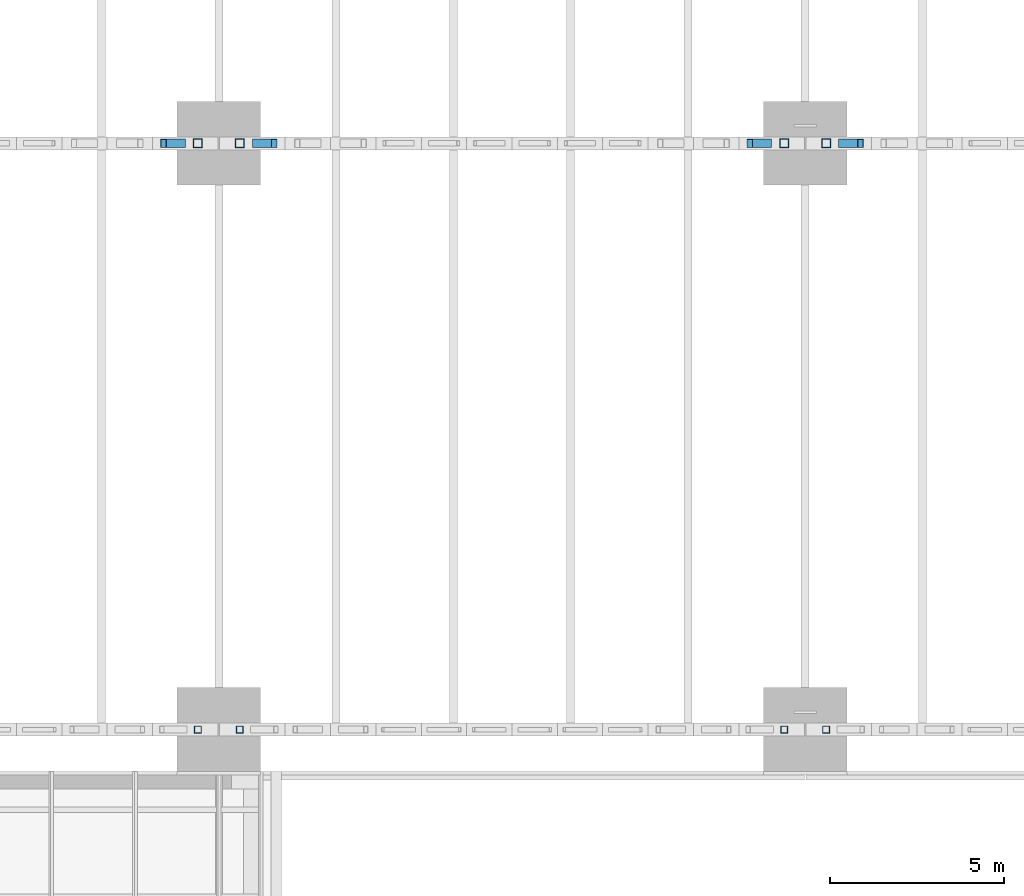
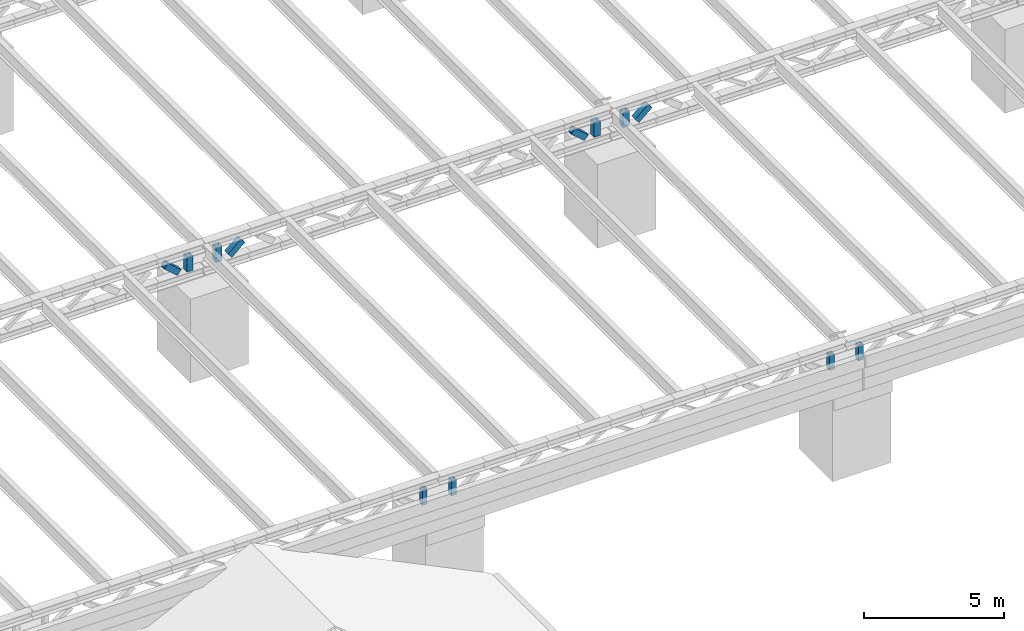
# One storey, part 43 of 93: 12 members.
"""IFC4 building model written with IfcOpenShell, lengths in metres."""

from ifc_helpers import new_model, si_unit, direction, frame, origin, origin_2d, place, context, subcontext, project, spatial, hollow_rectangle, extrude, material, material_profile, profile_set, type_object, element, save


model = new_model("IFC4")

# Units and contexts
model_context = context("Model", 3, precision=1e-05, world=origin(), true_north=direction((0.0, 1.0)))
body_context = subcontext(model_context, "Body", "Model", "MODEL_VIEW")
ifc_project = project(units=[si_unit("LENGTHUNIT", "METRE"), si_unit("AREAUNIT", "SQUARE_METRE"), si_unit("VOLUMEUNIT", "CUBIC_METRE"), si_unit("PLANEANGLEUNIT", "RADIAN"), si_unit("MASSUNIT", "GRAM", prefix="KILO")], contexts=[model_context])

# Site, building, storey
site_placement = place(None, origin())
site = spatial("IfcSite", under=ifc_project, at=site_placement, CompositionType="ELEMENT")
building_placement = place(site_placement, origin())
building = spatial("IfcBuilding", under=site, at=building_placement, Name="Verrick Yard Athletic Hall", CompositionType="ELEMENT")
storey_placement = place(building_placement, frame((0.0, 0.0, 8.800048828125)))
storey = spatial("IfcBuildingStorey", under=building, at=storey_placement, Name="L02", CompositionType="ELEMENT", Elevation=8.800048828125)

# Members
ifc_material = material(Name="Structural steel HSS Class C 350W (CSA G40.20/G40.21)", Category="steel")
ifc_material_profile_1 = material_profile(ifc_material, hollow_rectangle(XDim=0.203125, YDim=0.203125, WallThickness=0.0126953125, at=origin_2d()), Name="HSS203x203x13")
ifc_profile_set_1 = profile_set([ifc_material_profile_1], Name="Structural steel HSS Class C 350W (CSA G40.20/G40.21)")
member_type_1 = type_object("IfcMemberType", Name="STR Edge truss end post HSS203x203x13", PredefinedType="POST", material=ifc_profile_set_1)
for number, where, z_axis, x_axis, name in (
    (1, (106.60009765625, 19.199951171875, 4.005859375), (0.0, 0.0, 1.0), (1.0, 0.0, 0.0), "STR-TP-GA4-E"),
    (2, (107.800048828125, 19.199951171875, 4.005859375), (0.0, 0.0, 1.0), (1.0, 0.0, 0.0), "STR-TP-GA5-W"),
    (3, (123.39990234375, 19.199951171875, 4.005859375), (0.0, 0.0, 1.0), (1.0, 0.0, 0.0), "STR-TP-GA5-E"),
    (4, (124.60009765625, 19.199951171875, 4.005859375), (0.0, 0.0, 1.0), (1.0, 0.0, 0.0), "STR-TP-GA6-W"),
):
    element("IfcMember", number, at=place(storey_placement, frame(where, z_axis=z_axis, x_axis=x_axis)), inside=storey, type_object=member_type_1, Name=name, PredefinedType="POST", context=body_context, shape_type="SweptSolid", body=[
        extrude(hollow_rectangle(XDim=0.203125, YDim=0.203125, WallThickness=0.0126953125, at=origin_2d()), origin(), (0.0, 0.0, 1.0), 0.68798828125),
    ])
ifc_material_profile_2 = material_profile(ifc_material, hollow_rectangle(XDim=0.25390625, YDim=0.25390625, WallThickness=0.0126953125, at=origin_2d()), Name="HSS254x254x13")
ifc_profile_set_2 = profile_set([ifc_material_profile_2], Name="Structural steel HSS Class C 350W (CSA G40.20/G40.21)")
member_type_2 = type_object("IfcMemberType", Name="STR Truss end post HSS254x254x13", PredefinedType="POST", material=ifc_profile_set_2)
for number, where, z_axis, x_axis, name in (
    (5, (106.60009765625, 36.0, 4.02197265625), (0.0, 0.0, 1.0), (1.0, 0.0, 0.0), "STR-TP-GB4-E"),
    (6, (107.800048828125, 36.0, 4.02197265625), (0.0, 0.0, 1.0), (1.0, 0.0, 0.0), "STR-TP-GB5-W"),
    (7, (123.39990234375, 36.0, 4.02197265625), (0.0, 0.0, 1.0), (1.0, 0.0, 0.0), "STR-TP-GB5-E"),
    (8, (124.60009765625, 36.0, 4.02197265625), (0.0, 0.0, 1.0), (1.0, 0.0, 0.0), "STR-TP-GB6-W"),
):
    element("IfcMember", number, at=place(storey_placement, frame(where, z_axis=z_axis, x_axis=x_axis)), inside=storey, type_object=member_type_2, Name=name, PredefinedType="POST", context=body_context, shape_type="SweptSolid", body=[
        extrude(hollow_rectangle(XDim=0.25390625, YDim=0.25390625, WallThickness=0.0126953125, at=origin_2d()), origin(), (0.0, 0.0, 1.0), 0.656005859375),
    ])
ifc_material_profile_3 = material_profile(ifc_material, hollow_rectangle(XDim=0.25390625, YDim=0.25390625, WallThickness=0.0126953125, at=origin_2d()), Name="HSS254x254x13")
ifc_profile_set_3 = profile_set([ifc_material_profile_3], Name="Structural steel HSS Class C 350W (CSA G40.20/G40.21)")
member_type_3 = type_object("IfcMemberType", Name="STR Truss web HSS254x254x13", PredefinedType="BRACE", material=ifc_profile_set_3)
member_1_placement = place(storey_placement, frame((105.612548828125, 36.0, 4.58203125), z_axis=(0.76014857208, 0.0, -0.649749296548), x_axis=(0.0, 1.0, 0.0)))
element("IfcMember", 9, at=member_1_placement, inside=storey, type_object=member_type_3, Name="STR-TW-GB4-12", PredefinedType="BRACE", context=body_context, shape_type="SweptSolid", body=[
    extrude(hollow_rectangle(XDim=0.25390625, YDim=0.25390625, WallThickness=0.0126953125, at=origin_2d()), origin(), (0.0, 0.0, 1.0), 0.71435546875),
])
member_2_placement = place(storey_placement, frame((108.24462890625, 36.0, 4.117919921875), z_axis=(0.760004219481, 0.0, 0.649918138207), x_axis=(0.0, 1.0, 0.0)))
element("IfcMember", 10, at=member_2_placement, inside=storey, type_object=member_type_3, Name="STR-TW-GB5-1", PredefinedType="BRACE", context=body_context, shape_type="SweptSolid", body=[
    extrude(hollow_rectangle(XDim=0.25390625, YDim=0.25390625, WallThickness=0.0126953125, at=origin_2d()), origin(), (0.0, 0.0, 1.0), 0.714111328125),
])
for number, where, z_axis, x_axis, name in (
    (11, (122.41259765625, 36.0, 4.58203125), (0.76014857208, 0.0, -0.649749296548), (0.0, 1.0, 0.0), "STR-TW-GB5-12"),
    (12, (125.04443359375, 36.0, 4.117919921875), (0.76014857208, 0.0, 0.649749296548), (0.0, 1.0, 0.0), "STR-TW-GB6-1"),
):
    element("IfcMember", number, at=place(storey_placement, frame(where, z_axis=z_axis, x_axis=x_axis)), inside=storey, type_object=member_type_3, Name=name, PredefinedType="BRACE", context=body_context, shape_type="SweptSolid", body=[
        extrude(hollow_rectangle(XDim=0.25390625, YDim=0.25390625, WallThickness=0.0126953125, at=origin_2d()), origin(), (0.0, 0.0, 1.0), 0.71435546875),
    ])

save(model, "model.ifc")
